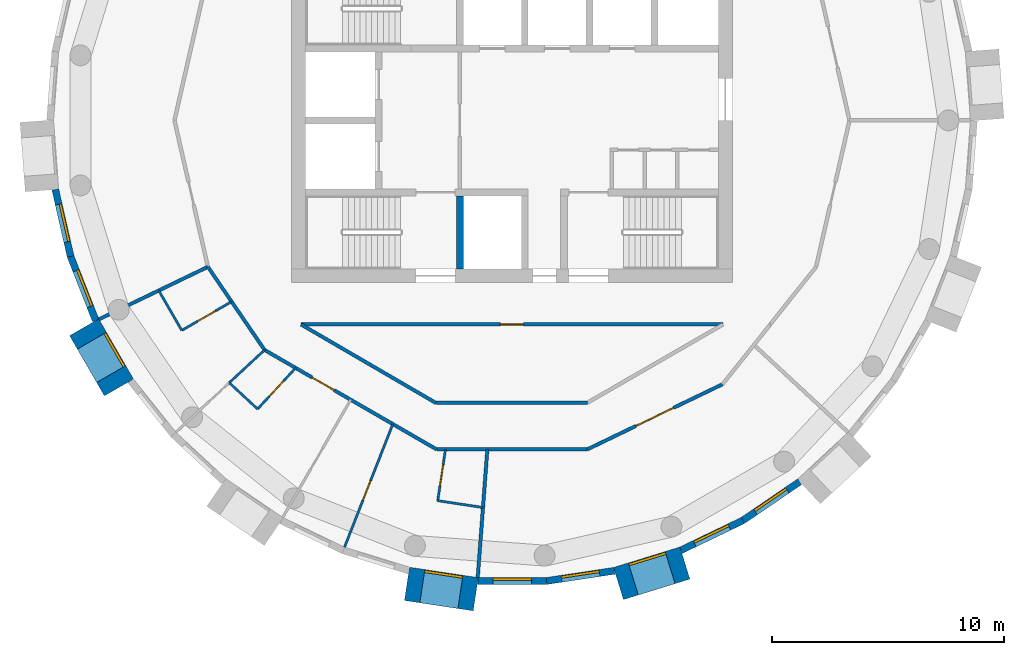
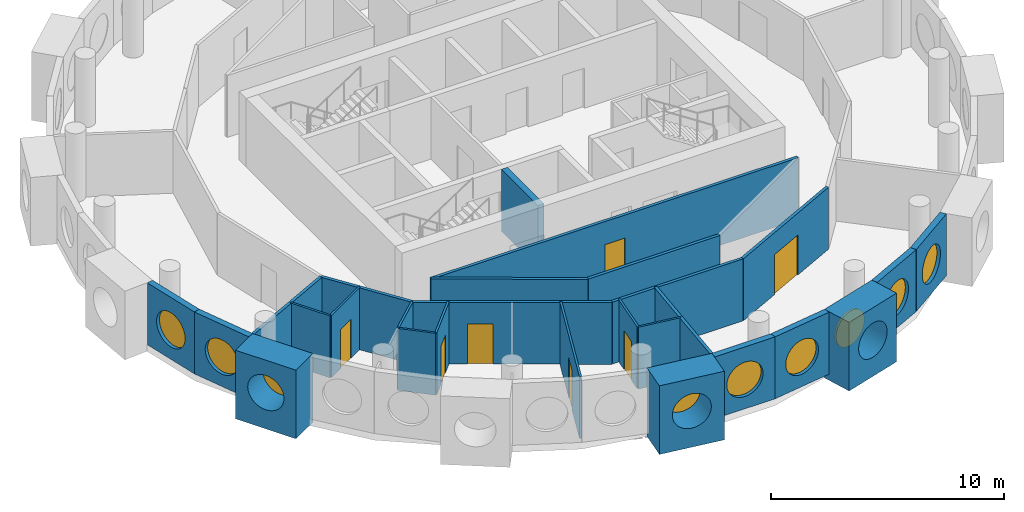
# One storey, part 2 of 12: 27 walls, 9 windows, 7 doors, 16 openings.
"""IFC4 building model written with IfcOpenShell, lengths in metres."""

from ifc_helpers import new_model, si_unit, direction, frame, frame_2d, origin, origin_2d, place, context, subcontext, project, spatial, rectangle, circle, extrude, material, layer, layer_set, type_object, element, fill, save


model = new_model("IFC4")

# Units and contexts
model_context = context("Model", 3, precision=1e-05, world=origin(), true_north=direction((0.0, 1.0)))
body_context = subcontext(model_context, "Body", "Model", "MODEL_VIEW")
ifc_project = project(units=[si_unit("LENGTHUNIT", "METRE"), si_unit("AREAUNIT", "SQUARE_METRE"), si_unit("VOLUMEUNIT", "CUBIC_METRE"), si_unit("PLANEANGLEUNIT", "RADIAN"), si_unit("MASSUNIT", "GRAM", prefix="KILO")], contexts=[model_context])

# Site, building, storey
site_placement = place(None, origin())
site = spatial("IfcSite", under=ifc_project, at=site_placement, CompositionType="ELEMENT")
building_placement = place(site_placement, origin())
building = spatial("IfcBuilding", under=site, at=building_placement, Name="Tracery Tower", CompositionType="ELEMENT")
storey_placement = place(building_placement, frame((0.0, 0.0, 323.39990234375)))
storey = spatial("IfcBuildingStorey", under=building, at=storey_placement, Name="L84", CompositionType="ELEMENT", Elevation=323.39990234375)

# Wall, opening, window
ifc_material_1 = material(Name="Precast concrete C50/60", Category="concrete")
ifc_layer_1 = layer(ifc_material_1, 1.449951171875)
ifc_layer_set_1 = layer_set([ifc_layer_1], Name="Deep-set bay unit 3000 x 3600, slab edge 350")
wall_type_1 = type_object("IfcWallType", Name="Deep-set bay unit 3000 x 3600, slab edge 350", PredefinedType="ELEMENTEDWALL", material=ifc_layer_set_1)
wall_1_placement = place(storey_placement, frame((-18.452392578125, -8.92138671875, -0.349853515625), z_axis=(0.0, 0.0, 1.0), x_axis=(0.499990139034, -0.866031096941, 0.0)))
wall_1 = element("IfcWall", 1, at=wall_1_placement, inside=storey, type_object=wall_type_1, Name="Deep-set bay unit 25 at L84", PredefinedType="ELEMENTEDWALL", context=body_context, shape_type="SweptSolid", body=[
    extrude(rectangle(XDim=3.0, YDim=1.449951171875, at=frame_2d((1.5, 0.0))), origin(), (0.0, 0.0, 1.0), 3.599853515625),
])
opening_1_placement = place(wall_1_placement, frame((1.5, 0.0, 1.89990234375)))
opening_1 = element("IfcOpeningElement", 2, at=opening_1_placement, cuts=wall_1, Name="Opening WN1", PredefinedType="OPENING", context=body_context, shape_type="SweptSolid", body=[
    extrude(circle(Radius=0.9000244140625, at=origin_2d()), frame((0.0, 0.73486328125, 0.0), z_axis=(0.0, -1.0, 0.0), x_axis=(1.0, 0.0, 0.0)), (0.0, 0.0, 1.0), 1.469970703125),
])
ifc_material_2 = material(Name="Aluminium frame with tinted double glazing", Category="aluminium")
window_type = type_object("IfcWindowType", Name="Round window 1800", PartitioningType="SINGLE_PANEL", PredefinedType="WINDOW", material=ifc_material_2)
window_1_placement = place(opening_1_placement, origin())
window_1 = element("IfcWindow", 3, at=window_1_placement, inside=storey, type_object=window_type, Name="Round window 25 at L84", OverallHeight=1.800048828125, OverallWidth=1.800048828125, PartitioningType="SINGLE_PANEL", PredefinedType="WINDOW", context=body_context, shape_type="SweptSolid", body=[
    extrude(circle(Radius=0.9000244140625, at=origin_2d()), frame((0.0, 0.69482421875, 0.0), z_axis=(0.0, -1.0, 0.0), x_axis=(1.0, 0.0, 0.0)), (0.0, 0.0, 1.0), 0.10009765625),
])
fill(opening_1, window_1)

wall_2_placement = place(storey_placement, frame((-4.52978515625, -19.9892578125, -0.349853515625), z_axis=(0.0, 0.0, 1.0), x_axis=(0.988836445254, -0.149004981587, 0.0)))
wall_2 = element("IfcWall", 4, at=wall_2_placement, inside=storey, type_object=wall_type_1, Name="Deep-set bay unit 31 at L84", PredefinedType="ELEMENTEDWALL", context=body_context, shape_type="SweptSolid", body=[
    extrude(rectangle(XDim=3.0, YDim=1.449951171875, at=frame_2d((1.5, 0.0))), origin(), (0.0, 0.0, 1.0), 3.599853515625),
])
opening_2_placement = place(wall_2_placement, frame((1.5, 0.0, 1.89990234375)))
opening_2 = element("IfcOpeningElement", 5, at=opening_2_placement, cuts=wall_2, Name="Opening WN1", PredefinedType="OPENING", context=body_context, shape_type="SweptSolid", body=[
    extrude(circle(Radius=0.9000244140625, at=origin_2d()), frame((0.0, 0.73486328125, 0.0), z_axis=(0.0, -1.0, 0.0), x_axis=(1.0, 0.0, 0.0)), (0.0, 0.0, 1.0), 1.469970703125),
])
window_2_placement = place(opening_2_placement, origin())
window_2 = element("IfcWindow", 6, at=window_2_placement, inside=storey, type_object=window_type, Name="Round window 31 at L84", OverallHeight=1.800048828125, OverallWidth=1.800048828125, PartitioningType="SINGLE_PANEL", PredefinedType="WINDOW", context=body_context, shape_type="SweptSolid", body=[
    extrude(circle(Radius=0.9000244140625, at=origin_2d()), frame((0.0, 0.69482421875, 0.0), z_axis=(0.0, -1.0, 0.0), x_axis=(1.0, 0.0, 0.0)), (0.0, 0.0, 1.0), 0.10009765625),
])
fill(opening_2, window_2)

wall_3_placement = place(storey_placement, frame((4.591796875, -19.97509765625, -0.349853515625), z_axis=(0.0, 0.0, 1.0), x_axis=(0.955571139978, 0.294760574774, 0.0)))
wall_3 = element("IfcWall", 7, at=wall_3_placement, inside=storey, type_object=wall_type_1, Name="Deep-set bay unit 34 at L84", PredefinedType="ELEMENTEDWALL", context=body_context, shape_type="SweptSolid", body=[
    extrude(rectangle(XDim=3.0, YDim=1.449951171875, at=frame_2d((1.5, 0.0))), origin(), (0.0, 0.0, 1.0), 3.599853515625),
])
opening_3_placement = place(wall_3_placement, frame((1.5, 0.0, 1.89990234375)))
opening_3 = element("IfcOpeningElement", 8, at=opening_3_placement, cuts=wall_3, Name="Opening WN1", PredefinedType="OPENING", context=body_context, shape_type="SweptSolid", body=[
    extrude(circle(Radius=0.9000244140625, at=origin_2d()), frame((0.0, 0.73486328125, 0.0), z_axis=(0.0, -1.0, 0.0), x_axis=(1.0, 0.0, 0.0)), (0.0, 0.0, 1.0), 1.469970703125),
])
window_3_placement = place(opening_3_placement, origin())
window_3 = element("IfcWindow", 9, at=window_3_placement, inside=storey, type_object=window_type, Name="Round window 34 at L84", OverallHeight=1.800048828125, OverallWidth=1.800048828125, PartitioningType="SINGLE_PANEL", PredefinedType="WINDOW", context=body_context, shape_type="SweptSolid", body=[
    extrude(circle(Radius=0.9000244140625, at=origin_2d()), frame((0.0, 0.69482421875, 0.0), z_axis=(0.0, -1.0, 0.0), x_axis=(1.0, 0.0, 0.0)), (0.0, 0.0, 1.0), 0.10009765625),
])
fill(opening_3, window_3)

ifc_material_3 = material(Name="Precast concrete C50/60", Category="concrete")
ifc_layer_2 = layer(ifc_material_3, 0.300048828125)
ifc_layer_set_2 = layer_set([ifc_layer_2], Name="Facade panel 3000 x 3250")
wall_type_2 = type_object("IfcWallType", Name="Facade panel 3000 x 3250", PredefinedType="SOLIDWALL", material=ifc_layer_set_2)
wall_4_placement = place(storey_placement, frame((-19.69580078125, -2.984130859375, 0.0), z_axis=(0.0, 0.0, 1.0), x_axis=(0.222529389789, -0.974925982155, 0.0)))
wall_4 = element("IfcWall", 10, at=wall_4_placement, inside=storey, type_object=wall_type_2, Name="Facade panel 23 at L84", PredefinedType="SOLIDWALL", context=body_context, shape_type="SweptSolid", body=[
    extrude(rectangle(XDim=2.962158203125, YDim=0.300048828125, at=frame_2d((1.48095703125, 0.0))), origin(), (0.0, 0.0, 1.0), 3.25),
])
opening_4_placement = place(wall_4_placement, frame((1.48095703125, 0.0, 1.5498046875)))
opening_4 = element("IfcOpeningElement", 11, at=opening_4_placement, cuts=wall_4, Name="Opening WN1", PredefinedType="OPENING", context=body_context, shape_type="SweptSolid", body=[
    extrude(circle(Radius=0.9000244140625, at=origin_2d()), frame((0.0, 0.159912109375, 0.0), z_axis=(0.0, -1.0, 0.0), x_axis=(1.0, 0.0, 0.0)), (0.0, 0.0, 1.0), 0.320068359375),
])
window_4_placement = place(opening_4_placement, origin())
window_4 = element("IfcWindow", 12, at=window_4_placement, inside=storey, type_object=window_type, Name="Round window 23 at L84", OverallHeight=1.800048828125, OverallWidth=1.800048828125, PartitioningType="SINGLE_PANEL", PredefinedType="WINDOW", context=body_context, shape_type="SweptSolid", body=[
    extrude(circle(Radius=0.9000244140625, at=origin_2d()), frame((0.0, 0.1201171875, 0.0), z_axis=(0.0, -1.0, 0.0), x_axis=(1.0, 0.0, 0.0)), (0.0, 0.0, 1.0), 0.10009765625),
])
fill(opening_4, window_4)

wall_5_placement = place(storey_placement, frame((-19.03662109375, -5.8720703125, 0.0), z_axis=(0.0, 0.0, 1.0), x_axis=(0.36530043032, -0.930889679612, 0.0)))
wall_5 = element("IfcWall", 13, at=wall_5_placement, inside=storey, type_object=wall_type_2, Name="Facade panel 24 at L84", PredefinedType="SOLIDWALL", context=body_context, shape_type="SweptSolid", body=[
    extrude(rectangle(XDim=2.9619140625, YDim=0.300048828125, at=frame_2d((1.48095703125, 0.0))), origin(), (0.0, 0.0, 1.0), 3.25),
])
opening_5_placement = place(wall_5_placement, frame((1.48095703125, 0.0, 1.5498046875)))
opening_5 = element("IfcOpeningElement", 14, at=opening_5_placement, cuts=wall_5, Name="Opening WN1", PredefinedType="OPENING", context=body_context, shape_type="SweptSolid", body=[
    extrude(circle(Radius=0.9000244140625, at=origin_2d()), frame((0.0, 0.159912109375, 0.0), z_axis=(0.0, -1.0, 0.0), x_axis=(1.0, 0.0, 0.0)), (0.0, 0.0, 1.0), 0.320068359375),
])
window_5_placement = place(opening_5_placement, origin())
window_5 = element("IfcWindow", 15, at=window_5_placement, inside=storey, type_object=window_type, Name="Round window 24 at L84", OverallHeight=1.800048828125, OverallWidth=1.800048828125, PartitioningType="SINGLE_PANEL", PredefinedType="WINDOW", context=body_context, shape_type="SweptSolid", body=[
    extrude(circle(Radius=0.9000244140625, at=origin_2d()), frame((0.0, 0.1201171875, 0.0), z_axis=(0.0, -1.0, 0.0), x_axis=(1.0, 0.0, 0.0)), (0.0, 0.0, 1.0), 0.10009765625),
])
fill(opening_5, window_5)

wall_6_placement = place(storey_placement, frame((-1.473388671875, -19.865966796875, 0.0), z_axis=(0.0, 0.0, 1.0), x_axis=(1.0, 0.0, 0.0)))
wall_6 = element("IfcWall", 16, at=wall_6_placement, inside=storey, type_object=wall_type_2, Name="Facade panel 32 at L84", PredefinedType="SOLIDWALL", context=body_context, shape_type="SweptSolid", body=[
    extrude(rectangle(XDim=2.962158203125, YDim=0.300048828125, at=frame_2d((1.48095703125, 0.0))), origin(), (0.0, 0.0, 1.0), 3.25),
])
opening_6_placement = place(wall_6_placement, frame((1.48095703125, 0.0, 1.5498046875)))
opening_6 = element("IfcOpeningElement", 17, at=opening_6_placement, cuts=wall_6, Name="Opening WN1", PredefinedType="OPENING", context=body_context, shape_type="SweptSolid", body=[
    extrude(circle(Radius=0.9000244140625, at=origin_2d()), frame((0.0, 0.159912109375, 0.0), z_axis=(0.0, -1.0, 0.0), x_axis=(1.0, 0.0, 0.0)), (0.0, 0.0, 1.0), 0.320068359375),
])
window_6_placement = place(opening_6_placement, origin())
window_6 = element("IfcWindow", 18, at=window_6_placement, inside=storey, type_object=window_type, Name="Round window 32 at L84", OverallHeight=1.800048828125, OverallWidth=1.800048828125, PartitioningType="SINGLE_PANEL", PredefinedType="WINDOW", context=body_context, shape_type="SweptSolid", body=[
    extrude(circle(Radius=0.9000244140625, at=origin_2d()), frame((0.0, 0.1201171875, 0.0), z_axis=(0.0, -1.0, 0.0), x_axis=(1.0, 0.0, 0.0)), (0.0, 0.0, 1.0), 0.10009765625),
])
fill(opening_6, window_6)

wall_7_placement = place(storey_placement, frame((1.48876953125, -19.865966796875, 0.0), z_axis=(0.0, 0.0, 1.0), x_axis=(0.988835775663, 0.149009425104, 0.0)))
wall_7 = element("IfcWall", 19, at=wall_7_placement, inside=storey, type_object=wall_type_2, Name="Facade panel 33 at L84", PredefinedType="SOLIDWALL", context=body_context, shape_type="SweptSolid", body=[
    extrude(rectangle(XDim=2.962158203125, YDim=0.300048828125, at=frame_2d((1.48095703125, 0.0))), origin(), (0.0, 0.0, 1.0), 3.25),
])
opening_7_placement = place(wall_7_placement, frame((1.48095703125, 0.0, 1.5498046875)))
opening_7 = element("IfcOpeningElement", 20, at=opening_7_placement, cuts=wall_7, Name="Opening WN1", PredefinedType="OPENING", context=body_context, shape_type="SweptSolid", body=[
    extrude(circle(Radius=0.9000244140625, at=origin_2d()), frame((0.0, 0.159912109375, 0.0), z_axis=(0.0, -1.0, 0.0), x_axis=(1.0, 0.0, 0.0)), (0.0, 0.0, 1.0), 0.320068359375),
])
window_7_placement = place(opening_7_placement, origin())
window_7 = element("IfcWindow", 21, at=window_7_placement, inside=storey, type_object=window_type, Name="Round window 33 at L84", OverallHeight=1.800048828125, OverallWidth=1.800048828125, PartitioningType="SINGLE_PANEL", PredefinedType="WINDOW", context=body_context, shape_type="SweptSolid", body=[
    extrude(circle(Radius=0.9000244140625, at=origin_2d()), frame((0.0, 0.1201171875, 0.0), z_axis=(0.0, -1.0, 0.0), x_axis=(1.0, 0.0, 0.0)), (0.0, 0.0, 1.0), 0.10009765625),
])
fill(opening_7, window_7)

wall_8_placement = place(storey_placement, frame((7.2919921875, -18.5380859375, 0.0), z_axis=(0.0, 0.0, 1.0), x_axis=(0.90095513435, 0.433912255978, 0.0)))
wall_8 = element("IfcWall", 22, at=wall_8_placement, inside=storey, type_object=wall_type_2, Name="Facade panel 35 at L84", PredefinedType="SOLIDWALL", context=body_context, shape_type="SweptSolid", body=[
    extrude(rectangle(XDim=2.96240234375, YDim=0.300048828125, at=frame_2d((1.481201171875, 0.0))), origin(), (0.0, 0.0, 1.0), 3.25),
])
opening_8_placement = place(wall_8_placement, frame((1.48095703125, 0.0, 1.5498046875)))
opening_8 = element("IfcOpeningElement", 23, at=opening_8_placement, cuts=wall_8, Name="Opening WN1", PredefinedType="OPENING", context=body_context, shape_type="SweptSolid", body=[
    extrude(circle(Radius=0.9000244140625, at=origin_2d()), frame((0.0, 0.159912109375, 0.0), z_axis=(0.0, -1.0, 0.0), x_axis=(1.0, 0.0, 0.0)), (0.0, 0.0, 1.0), 0.320068359375),
])
window_8_placement = place(opening_8_placement, origin())
window_8 = element("IfcWindow", 24, at=window_8_placement, inside=storey, type_object=window_type, Name="Round window 35 at L84", OverallHeight=1.800048828125, OverallWidth=1.800048828125, PartitioningType="SINGLE_PANEL", PredefinedType="WINDOW", context=body_context, shape_type="SweptSolid", body=[
    extrude(circle(Radius=0.9000244140625, at=origin_2d()), frame((0.0, 0.1201171875, 0.0), z_axis=(0.0, -1.0, 0.0), x_axis=(1.0, 0.0, 0.0)), (0.0, 0.0, 1.0), 0.10009765625),
])
fill(opening_8, window_8)

wall_9_placement = place(storey_placement, frame((9.9609375, -17.252685546875, 0.0), z_axis=(0.0, 0.0, 1.0), x_axis=(0.826236061068, 0.563324037646, 0.0)))
wall_9 = element("IfcWall", 25, at=wall_9_placement, inside=storey, type_object=wall_type_2, Name="Facade panel 36 at L84", PredefinedType="SOLIDWALL", context=body_context, shape_type="SweptSolid", body=[
    extrude(rectangle(XDim=2.962158203125, YDim=0.300048828125, at=frame_2d((1.48095703125, 0.0))), origin(), (0.0, 0.0, 1.0), 3.25),
])
opening_9_placement = place(wall_9_placement, frame((1.48095703125, 0.0, 1.5498046875)))
opening_9 = element("IfcOpeningElement", 26, at=opening_9_placement, cuts=wall_9, Name="Opening WN1", PredefinedType="OPENING", context=body_context, shape_type="SweptSolid", body=[
    extrude(circle(Radius=0.9000244140625, at=origin_2d()), frame((0.0, 0.159912109375, 0.0), z_axis=(0.0, -1.0, 0.0), x_axis=(1.0, 0.0, 0.0)), (0.0, 0.0, 1.0), 0.320068359375),
])
window_9_placement = place(opening_9_placement, origin())
window_9 = element("IfcWindow", 27, at=window_9_placement, inside=storey, type_object=window_type, Name="Round window 36 at L84", OverallHeight=1.800048828125, OverallWidth=1.800048828125, PartitioningType="SINGLE_PANEL", PredefinedType="WINDOW", context=body_context, shape_type="SweptSolid", body=[
    extrude(circle(Radius=0.9000244140625, at=origin_2d()), frame((0.0, 0.1201171875, 0.0), z_axis=(0.0, -1.0, 0.0), x_axis=(1.0, 0.0, 0.0)), (0.0, 0.0, 1.0), 0.10009765625),
])
fill(opening_9, window_9)

# Wall, opening, door
ifc_material_4 = material(Name="Plasterboard on steel studs", Category="steel")
ifc_layer_3 = layer(ifc_material_4, 0.10009765625)
ifc_layer_set_3 = layer_set([ifc_layer_3], Name="Partition 100 stud")
wall_type_3 = type_object("IfcWallType", Name="Partition 100 stud", PredefinedType="PARTITIONING", material=ifc_layer_set_3)
wall_10_placement = place(storey_placement, frame((-7.222900390625, -18.405029296875, 0.0), z_axis=(0.0, 0.0, 1.0), x_axis=(0.365331902423, 0.930877328691, 0.0)))
wall_10 = element("IfcWall", 28, at=wall_10_placement, inside=storey, type_object=wall_type_3, Name="Stud partition RC10-048", PredefinedType="PARTITIONING", context=body_context, shape_type="SweptSolid", body=[
    extrude(rectangle(XDim=5.704345703125, YDim=0.10009765625, at=frame_2d((2.85205078125, 0.0))), origin(), (0.0, 0.0, 1.0), 3.25),
])
opening_10_placement = place(wall_10_placement, frame((2.182373046875, 0.0, 0.0)))
opening_10 = element("IfcOpeningElement", 29, at=opening_10_placement, cuts=wall_10, Name="Opening RC10-13", PredefinedType="OPENING", context=body_context, shape_type="SweptSolid", body=[
    extrude(rectangle(XDim=0.89990234375, YDim=2.10009765625, at=frame_2d((0.449951171875, 1.050048828125))), frame((0.0, 0.050048828125, 0.0), z_axis=(0.0, -1.0, 0.0), x_axis=(1.0, 0.0, 0.0)), (0.0, 0.0, 1.0), 0.10009765625),
])
ifc_material_5 = material(Name="Timber door leaf", Category="wood")
door_type_1 = type_object("IfcDoorType", Name="Door bedroom 900", OperationType="NOTDEFINED", PredefinedType="DOOR", material=ifc_material_5)
door_1_placement = place(opening_10_placement, origin())
door_1 = element("IfcDoor", 30, at=door_1_placement, inside=storey, type_object=door_type_1, Name="Bedroom door RC10-13", OperationType="SINGLE_SWING_RIGHT", OverallHeight=2.10009765625, OverallWidth=0.89990234375, PredefinedType="DOOR", context=body_context, shape_type="SweptSolid", body=[
    extrude(rectangle(XDim=0.89990234375, YDim=2.10009765625, at=frame_2d((0.449951171875, 1.050048828125))), frame((0.0, 0.02490234375, 0.0), z_axis=(0.0, -1.0, 0.0), x_axis=(1.0, 0.0, 0.0)), (0.0, 0.0, 1.0), 0.050048828125),
])
fill(opening_10, door_1)

# Wall
ifc_material_6 = material(Name="Plasterboard on steel studs", Category="steel")
ifc_layer_4 = layer(ifc_material_6, 0.10009765625)
ifc_layer_set_4 = layer_set([ifc_layer_4], Name="Partition 100 wet wall")
wall_type_4 = type_object("IfcWallType", Name="Partition 100 wet wall", PredefinedType="PARTITIONING", material=ifc_layer_set_4)
wall_11_placement = place(storey_placement, frame((-12.194091796875, -11.31396484375, 0.0), z_axis=(0.0, 0.0, 1.0), x_axis=(0.733064860014, -0.680158739569, 0.0)))
element("IfcWall", 31, at=wall_11_placement, inside=storey, type_object=wall_type_4, Name="Wet wall RC10-045", PredefinedType="PARTITIONING", context=body_context, shape_type="SweptSolid", body=[
    extrude(rectangle(XDim=1.665771484375, YDim=0.10009765625, at=frame_2d((0.8330078125, 0.0))), origin(), (0.0, 0.0, 1.0), 3.25),
])

# Wall, opening, door
wall_12_placement = place(storey_placement, frame((-10.972900390625, -12.447021484375, 0.0), z_axis=(0.0, 0.0, 1.0), x_axis=(0.680296065293, 0.732937421303, 0.0)))
wall_12 = element("IfcWall", 32, at=wall_12_placement, inside=storey, type_object=wall_type_4, Name="Wet wall RC10-046", PredefinedType="PARTITIONING", context=body_context, shape_type="SweptSolid", body=[
    extrude(rectangle(XDim=2.416259765625, YDim=0.10009765625, at=frame_2d((1.2080078125, 0.0))), origin(), (0.0, 0.0, 1.0), 3.25),
])
opening_11_placement = place(wall_12_placement, frame((0.758056640625, 0.0, 0.0)))
opening_11 = element("IfcOpeningElement", 33, at=opening_11_placement, cuts=wall_12, Name="Opening RC10-10", PredefinedType="OPENING", context=body_context, shape_type="SweptSolid", body=[
    extrude(rectangle(XDim=0.89990234375, YDim=2.0, at=frame_2d((0.449951171875, 1.0))), frame((0.0, 0.050048828125, 0.0), z_axis=(0.0, -1.0, 0.0), x_axis=(1.0, 0.0, 0.0)), (0.0, 0.0, 1.0), 0.10009765625),
])
ifc_material_7 = material(Name="Timber door leaf", Category="wood")
door_type_2 = type_object("IfcDoorType", Name="Door shower room 900", OperationType="NOTDEFINED", PredefinedType="DOOR", material=ifc_material_7)
door_2_placement = place(opening_11_placement, origin())
door_2 = element("IfcDoor", 34, at=door_2_placement, inside=storey, type_object=door_type_2, Name="Shower room door RC10-10", OperationType="SINGLE_SWING_LEFT", OverallHeight=2.0, OverallWidth=0.89990234375, PredefinedType="DOOR", context=body_context, shape_type="SweptSolid", body=[
    extrude(rectangle(XDim=0.89990234375, YDim=2.0, at=frame_2d((0.449951171875, 1.0))), frame((0.0, 0.02490234375, 0.0), z_axis=(0.0, -1.0, 0.0), x_axis=(1.0, 0.0, 0.0)), (0.0, 0.0, 1.0), 0.050048828125),
])
fill(opening_11, door_2)

# Walls
wall_13_placement = place(storey_placement, frame((-12.194091796875, -11.31396484375, 0.0), z_axis=(0.0, 0.0, 1.0), x_axis=(0.733107294142, 0.680113001843, 0.0)))
element("IfcWall", 35, at=wall_13_placement, inside=storey, type_object=wall_type_4, Name="Wet wall RC10-049", PredefinedType="PARTITIONING", context=body_context, shape_type="SweptSolid", body=[
    extrude(rectangle(XDim=2.07763671875, YDim=0.10009765625, at=frame_2d((1.038818359375, 0.0))), origin(), (0.0, 0.0, 1.0), 3.25),
])
wall_14_placement = place(storey_placement, frame((-15.235107421875, -7.3369140625, 0.0), z_axis=(0.0, 0.0, 1.0), x_axis=(0.50005230485, -0.865995203459, 0.0)))
element("IfcWall", 36, at=wall_14_placement, inside=storey, type_object=wall_type_4, Name="Wet wall RC10-050", PredefinedType="PARTITIONING", context=body_context, shape_type="SweptSolid", body=[
    extrude(rectangle(XDim=1.986083984375, YDim=0.10009765625, at=frame_2d((0.9931640625, 0.0))), origin(), (0.0, 0.0, 1.0), 3.25),
])

# Wall, opening, door
wall_15_placement = place(storey_placement, frame((-14.241943359375, -9.056884765625, 0.0), z_axis=(0.0, 0.0, 1.0), x_axis=(0.865975856927, 0.500085807857, 0.0)))
wall_15 = element("IfcWall", 37, at=wall_15_placement, inside=storey, type_object=wall_type_4, Name="Wet wall RC10-051", PredefinedType="PARTITIONING", context=body_context, shape_type="SweptSolid", body=[
    extrude(rectangle(XDim=2.4814453125, YDim=0.10009765625, at=frame_2d((1.24072265625, 0.0))), origin(), (0.0, 0.0, 1.0), 3.25),
])
opening_12_placement = place(wall_15_placement, frame((0.791015625, 0.0, 0.0)))
opening_12 = element("IfcOpeningElement", 38, at=opening_12_placement, cuts=wall_15, Name="Opening RC10-12", PredefinedType="OPENING", context=body_context, shape_type="SweptSolid", body=[
    extrude(rectangle(XDim=0.89990234375, YDim=2.0400390625, at=frame_2d((0.449951171875, 1.02001953125))), frame((0.0, 0.050048828125, 0.0), z_axis=(0.0, -1.0, 0.0), x_axis=(1.0, 0.0, 0.0)), (0.0, 0.0, 1.0), 0.10009765625),
])
ifc_material_8 = material(Name="Timber door leaf", Category="wood")
door_type_3 = type_object("IfcDoorType", Name="Door en-suite 900", OperationType="NOTDEFINED", PredefinedType="DOOR", material=ifc_material_8)
door_3_placement = place(opening_12_placement, origin())
door_3 = element("IfcDoor", 39, at=door_3_placement, inside=storey, type_object=door_type_3, Name="En-suite door RC10-12", OperationType="SINGLE_SWING_RIGHT", OverallHeight=2.0400390625, OverallWidth=0.89990234375, PredefinedType="DOOR", context=body_context, shape_type="SweptSolid", body=[
    extrude(rectangle(XDim=0.89990234375, YDim=2.0400390625, at=frame_2d((0.449951171875, 1.02001953125))), frame((0.0, 0.02490234375, 0.0), z_axis=(0.0, -1.0, 0.0), x_axis=(1.0, 0.0, 0.0)), (0.0, 0.0, 1.0), 0.050048828125),
])
fill(opening_12, door_3)

wall_16_placement = place(storey_placement, frame((-3.202880859375, -16.40087890625, 0.0), z_axis=(0.0, 0.0, 1.0), x_axis=(0.148960349288, 0.988843169739, 0.0)))
wall_16 = element("IfcWall", 40, at=wall_16_placement, inside=storey, type_object=wall_type_4, Name="Wet wall RC10-052", PredefinedType="PARTITIONING", context=body_context, shape_type="SweptSolid", body=[
    extrude(rectangle(XDim=2.23388671875, YDim=0.10009765625, at=frame_2d((1.116943359375, 0.0))), origin(), (0.0, 0.0, 1.0), 3.25),
])
opening_13_placement = place(wall_16_placement, frame((0.6669921875, 0.0, 0.0)))
opening_13 = element("IfcOpeningElement", 41, at=opening_13_placement, cuts=wall_16, Name="Opening RC10-14", PredefinedType="OPENING", context=body_context, shape_type="SweptSolid", body=[
    extrude(rectangle(XDim=0.89990234375, YDim=2.0400390625, at=frame_2d((0.449951171875, 1.02001953125))), frame((0.0, 0.050048828125, 0.0), z_axis=(0.0, -1.0, 0.0), x_axis=(1.0, 0.0, 0.0)), (0.0, 0.0, 1.0), 0.10009765625),
])
door_4_placement = place(opening_13_placement, origin())
door_4 = element("IfcDoor", 42, at=door_4_placement, inside=storey, type_object=door_type_3, Name="En-suite door RC10-14", OperationType="SINGLE_SWING_RIGHT", OverallHeight=2.0400390625, OverallWidth=0.89990234375, PredefinedType="DOOR", context=body_context, shape_type="SweptSolid", body=[
    extrude(rectangle(XDim=0.89990234375, YDim=2.0400390625, at=frame_2d((0.449951171875, 1.02001953125))), frame((0.0, 0.02490234375, 0.0), z_axis=(0.0, -1.0, 0.0), x_axis=(1.0, 0.0, 0.0)), (0.0, 0.0, 1.0), 0.050048828125),
])
fill(opening_13, door_4)

# Walls
wall_17_placement = place(storey_placement, frame((-3.202880859375, -16.40087890625, 0.0), z_axis=(0.0, 0.0, 1.0), x_axis=(0.988831780565, -0.149035934407, 0.0)))
element("IfcWall", 43, at=wall_17_placement, inside=storey, type_object=wall_type_4, Name="Wet wall RC10-053", PredefinedType="PARTITIONING", context=body_context, shape_type="SweptSolid", body=[
    extrude(rectangle(XDim=1.973876953125, YDim=0.10009765625, at=frame_2d((0.98681640625, 0.0))), origin(), (0.0, 0.0, 1.0), 3.25),
])
ifc_material_9 = material(Name="Plasterboard on steel studs", Category="steel")
ifc_layer_5 = layer(ifc_material_9, 0.14990234375)
ifc_layer_set_5 = layer_set([ifc_layer_5], Name="Partition 150 acoustic unit wall")
wall_type_5 = type_object("IfcWallType", Name="Partition 150 acoustic unit wall", PredefinedType="PARTITIONING", material=ifc_layer_set_5)
wall_18_placement = place(storey_placement, frame((-17.81298828125, -8.577880859375, 0.0), z_axis=(0.0, 0.0, 1.0), x_axis=(0.9009772659, 0.433866300064, 0.0)))
element("IfcWall", 44, at=wall_18_placement, inside=storey, type_object=wall_type_5, Name="Unit wall RC10-043", PredefinedType="PARTITIONING", context=body_context, shape_type="SweptSolid", body=[
    extrude(rectangle(XDim=5.214111328125, YDim=0.14990234375, at=frame_2d((2.60693359375, 0.0))), origin(), (0.0, 0.0, 1.0), 3.25),
])
wall_19_placement = place(storey_placement, frame((-1.47802734375, -19.716064453125, 0.0), z_axis=(0.0, 0.0, 1.0), x_axis=(0.074923617461, 0.997189275688, 0.0)))
element("IfcWall", 45, at=wall_19_placement, inside=storey, type_object=wall_type_5, Name="Unit wall RC10-054", PredefinedType="PARTITIONING", context=body_context, shape_type="SweptSolid", body=[
    extrude(rectangle(XDim=5.53955078125, YDim=0.14990234375, at=frame_2d((2.769775390625, 0.0))), origin(), (0.0, 0.0, 1.0), 3.25),
])

# Wall, opening, door
ifc_material_10 = material(Name="Plasterboard on steel studs", Category="steel")
ifc_layer_6 = layer(ifc_material_10, 0.14990234375)
ifc_layer_set_6 = layer_set([ifc_layer_6], Name="Partition 150 corridor wall")
wall_type_6 = type_object("IfcWallType", Name="Partition 150 corridor wall", PredefinedType="PARTITIONING", material=ifc_layer_set_6)
wall_20_placement = place(storey_placement, frame((-9.10302734375, -8.800048828125, 0.0), z_axis=(0.0, 0.0, 1.0), x_axis=(1.0, 0.0, 0.0)))
wall_20 = element("IfcWall", 46, at=wall_20_placement, inside=storey, type_object=wall_type_6, Name="Corridor wall RC10-012", PredefinedType="PARTITIONING", context=body_context, shape_type="SweptSolid", body=[
    extrude(rectangle(XDim=18.20361328125, YDim=0.14990234375, at=frame_2d((9.101806640625, 0.0))), origin(), (0.0, 0.0, 1.0), 3.25),
])
opening_14_placement = place(wall_20_placement, frame((8.596923828125, 0.0, 0.0)))
opening_14 = element("IfcOpeningElement", 47, at=opening_14_placement, cuts=wall_20, Name="Opening RC10-03", PredefinedType="OPENING", context=body_context, shape_type="SweptSolid", body=[
    extrude(rectangle(XDim=1.0, YDim=2.0400390625, at=frame_2d((0.5, 1.02001953125))), frame((0.0, 0.074951171875, 0.0), z_axis=(0.0, -1.0, 0.0), x_axis=(1.0, 0.0, 0.0)), (0.0, 0.0, 1.0), 0.14990234375),
])
ifc_material_11 = material(Name="Timber door leaf", Category="wood")
door_type_4 = type_object("IfcDoorType", Name="Door communal room 1000", OperationType="NOTDEFINED", PredefinedType="DOOR", material=ifc_material_11)
door_5_placement = place(opening_14_placement, origin())
door_5 = element("IfcDoor", 48, at=door_5_placement, inside=storey, type_object=door_type_4, Name="Communal room door RC10-03", OperationType="SINGLE_SWING_RIGHT", OverallHeight=2.0400390625, OverallWidth=1.0, PredefinedType="DOOR", context=body_context, shape_type="SweptSolid", body=[
    extrude(rectangle(XDim=1.0, YDim=2.0400390625, at=frame_2d((0.5, 1.02001953125))), frame((0.0, 0.02490234375, 0.0), z_axis=(0.0, -1.0, 0.0), x_axis=(1.0, 0.0, 0.0)), (0.0, 0.0, 1.0), 0.050048828125),
])
fill(opening_14, door_5)

# Wall
wall_21_placement = place(storey_placement, frame((-9.09912109375, -8.800048828125, 0.0), z_axis=(0.0, 0.0, 1.0), x_axis=(0.864286794128, -0.502999341447, 0.0)))
element("IfcWall", 49, at=wall_21_placement, inside=storey, type_object=wall_type_6, Name="Corridor wall RC10-029", PredefinedType="PARTITIONING", context=body_context, shape_type="SweptSolid", body=[
    extrude(rectangle(XDim=6.7412109375, YDim=0.14990234375, at=frame_2d((3.37060546875, 0.0))), origin(), (0.0, 0.0, 1.0), 3.25),
])

# Wall, opening, door
wall_22_placement = place(storey_placement, frame((-10.6708984375, -9.90087890625, 0.0), z_axis=(0.0, 0.0, 1.0), x_axis=(0.865823993551, -0.500348690606, 0.0)))
wall_22 = element("IfcWall", 50, at=wall_22_placement, inside=storey, type_object=wall_type_6, Name="Corridor wall RC10-033", PredefinedType="PARTITIONING", context=body_context, shape_type="SweptSolid", body=[
    extrude(rectangle(XDim=8.581787109375, YDim=0.14990234375, at=frame_2d((4.291015625, 0.0))), origin(), (0.0, 0.0, 1.0), 3.25),
])
opening_15_placement = place(wall_22_placement, frame((2.369140625, 0.0, 0.0)))
opening_15 = element("IfcOpeningElement", 51, at=opening_15_placement, cuts=wall_22, Name="Opening RC10-08", PredefinedType="OPENING", context=body_context, shape_type="SweptSolid", body=[
    extrude(rectangle(XDim=1.10009765625, YDim=2.10009765625, at=frame_2d((0.550048828125, 1.050048828125))), frame((0.0, 0.074951171875, 0.0), z_axis=(0.0, -1.0, 0.0), x_axis=(1.0, 0.0, 0.0)), (0.0, 0.0, 1.0), 0.14990234375),
])
ifc_material_12 = material(Name="Timber door leaf", Category="wood")
door_type_5 = type_object("IfcDoorType", Name="Door cluster entrance 1100", OperationType="NOTDEFINED", PredefinedType="DOOR", material=ifc_material_12)
door_6_placement = place(opening_15_placement, origin())
door_6 = element("IfcDoor", 52, at=door_6_placement, inside=storey, type_object=door_type_5, Name="Cluster entrance door RC10-08", OperationType="SINGLE_SWING_RIGHT", OverallHeight=2.10009765625, OverallWidth=1.10009765625, PredefinedType="DOOR", context=body_context, shape_type="SweptSolid", body=[
    extrude(rectangle(XDim=1.10009765625, YDim=2.10009765625, at=frame_2d((0.550048828125, 1.050048828125))), frame((0.0, 0.02490234375, 0.0), z_axis=(0.0, -1.0, 0.0), x_axis=(1.0, 0.0, 0.0)), (0.0, 0.0, 1.0), 0.050048828125),
])
fill(opening_15, door_6)

# Walls
wall_23_placement = place(storey_placement, frame((-13.115478515625, -6.31640625, 0.0), z_axis=(0.0, 0.0, 1.0), x_axis=(0.563434599286, -0.826160669802, 0.0)))
element("IfcWall", 53, at=wall_23_placement, inside=storey, type_object=wall_type_6, Name="Corridor wall RC10-034", PredefinedType="PARTITIONING", context=body_context, shape_type="SweptSolid", body=[
    extrude(rectangle(XDim=4.338623046875, YDim=0.14990234375, at=frame_2d((2.16943359375, 0.0))), origin(), (0.0, 0.0, 1.0), 3.25),
])
wall_24_placement = place(storey_placement, frame((-3.260986328125, -12.1708984375, 0.0), z_axis=(0.0, 0.0, 1.0), x_axis=(1.0, 0.0, 0.0)))
element("IfcWall", 54, at=wall_24_placement, inside=storey, type_object=wall_type_6, Name="Corridor wall RC10-035", PredefinedType="PARTITIONING", context=body_context, shape_type="SweptSolid", body=[
    extrude(rectangle(XDim=6.52197265625, YDim=0.14990234375, at=frame_2d((3.260986328125, 0.0))), origin(), (0.0, 0.0, 1.0), 3.25),
])
wall_25_placement = place(storey_placement, frame((-3.239013671875, -14.19189453125, 0.0), z_axis=(0.0, 0.0, 1.0), x_axis=(1.0, 0.0, 0.0)))
element("IfcWall", 55, at=wall_25_placement, inside=storey, type_object=wall_type_6, Name="Corridor wall RC10-037", PredefinedType="PARTITIONING", context=body_context, shape_type="SweptSolid", body=[
    extrude(rectangle(XDim=6.47802734375, YDim=0.14990234375, at=frame_2d((3.239013671875, 0.0))), origin(), (0.0, 0.0, 1.0), 3.25),
])

# Wall, opening, door
wall_26_placement = place(storey_placement, frame((3.239013671875, -14.19189453125, 0.0), z_axis=(0.0, 0.0, 1.0), x_axis=(0.900976027191, 0.433868872388, 0.0)))
wall_26 = element("IfcWall", 56, at=wall_26_placement, inside=storey, type_object=wall_type_6, Name="Corridor wall RC10-038", PredefinedType="PARTITIONING", context=body_context, shape_type="SweptSolid", body=[
    extrude(rectangle(XDim=6.478515625, YDim=0.14990234375, at=frame_2d((3.2392578125, 0.0))), origin(), (0.0, 0.0, 1.0), 3.25),
])
opening_16_placement = place(wall_26_placement, frame((2.339599609375, 0.0, 0.0)))
opening_16 = element("IfcOpeningElement", 57, at=opening_16_placement, cuts=wall_26, Name="Opening RC10-15", PredefinedType="OPENING", context=body_context, shape_type="SweptSolid", body=[
    extrude(rectangle(XDim=1.800048828125, YDim=2.10009765625, at=frame_2d((0.89990234375, 1.050048828125))), frame((0.0, 0.074951171875, 0.0), z_axis=(0.0, -1.0, 0.0), x_axis=(1.0, 0.0, 0.0)), (0.0, 0.0, 1.0), 0.14990234375),
])
ifc_material_13 = material(Name="Timber door leaf", Category="wood")
door_type_6 = type_object("IfcDoorType", Name="Door double lounge 1800", OperationType="NOTDEFINED", PredefinedType="DOOR", material=ifc_material_13)
door_7_placement = place(opening_16_placement, origin())
door_7 = element("IfcDoor", 58, at=door_7_placement, inside=storey, type_object=door_type_6, Name="Double lounge door RC10-15", OperationType="DOUBLE_DOOR_SINGLE_SWING", OverallHeight=2.10009765625, OverallWidth=1.800048828125, PredefinedType="DOOR", context=body_context, shape_type="SweptSolid", body=[
    extrude(rectangle(XDim=1.800048828125, YDim=2.10009765625, at=frame_2d((0.89990234375, 1.050048828125))), frame((0.0, 0.02490234375, 0.0), z_axis=(0.0, -1.0, 0.0), x_axis=(1.0, 0.0, 0.0)), (0.0, 0.0, 1.0), 0.050048828125),
])
fill(opening_16, door_7)

# Wall
ifc_material_14 = material(Name="Concrete C40/50", Category="concrete")
ifc_layer_7 = layer(ifc_material_14, 0.300048828125)
ifc_layer_set_7 = layer_set([ifc_layer_7], Name="Stair wall 300 C40")
wall_type_7 = type_object("IfcWallType", Name="Stair wall 300 C40", PredefinedType="SOLIDWALL", material=ifc_layer_set_7)
wall_27_placement = place(storey_placement, frame((-2.25, -6.39990234375, 0.0), z_axis=(0.0, 0.0, 1.0), x_axis=(0.0, 1.0, 0.0)))
element("IfcWall", 59, at=wall_27_placement, inside=storey, type_object=wall_type_7, Name="L84 ST1 E", PredefinedType="SOLIDWALL", context=body_context, shape_type="SweptSolid", body=[
    extrude(rectangle(XDim=3.14990234375, YDim=0.300048828125, at=frame_2d((1.574951171875, 0.0))), origin(), (0.0, 0.0, 1.0), 3.25),
])

save(model, "model.ifc")
